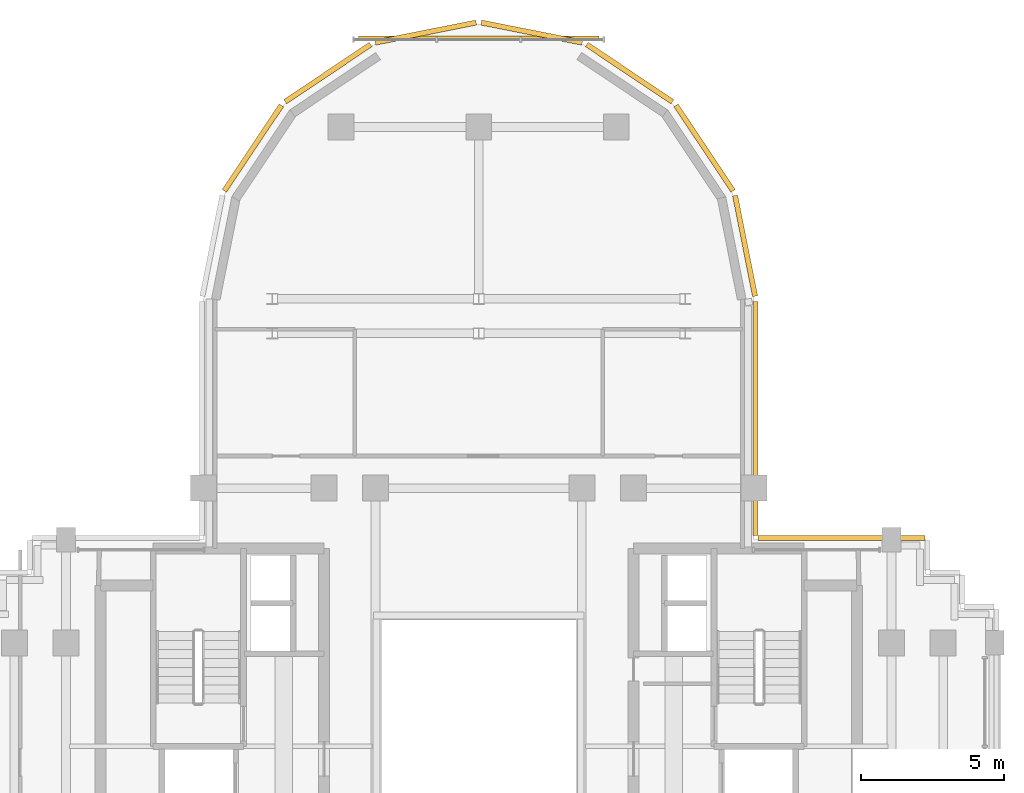
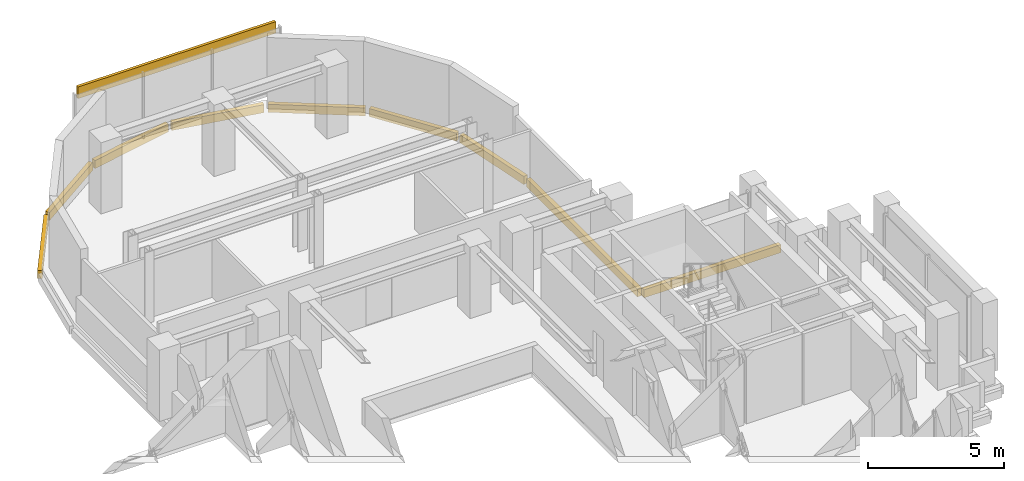
# One storey, part 11 of 11: 10 coverings.
"""IFC4 building model written with IfcOpenShell, lengths in metres."""

from ifc_helpers import new_model, si_unit, direction, frame, origin, origin_2d, place, context, subcontext, project, spatial, rectangle, extrude, source, transform, mapped, material, layer, layer_set, type_object, element, save


model = new_model("IFC4")

# Units and contexts
model_context = context("Model", 3, precision=1e-05, world=origin(), true_north=direction((0.0, 1.0)))
body_context = subcontext(model_context, "Body", "Model", "MODEL_VIEW")
ifc_project = project(units=[si_unit("LENGTHUNIT", "METRE"), si_unit("AREAUNIT", "SQUARE_METRE"), si_unit("VOLUMEUNIT", "CUBIC_METRE"), si_unit("PLANEANGLEUNIT", "RADIAN"), si_unit("MASSUNIT", "GRAM", prefix="KILO")], contexts=[model_context])

# Site, building, storey
site_placement = place(None, origin())
site = spatial("IfcSite", under=ifc_project, at=site_placement, CompositionType="ELEMENT")
building_placement = place(site_placement, origin())
building = spatial("IfcBuilding", under=site, at=building_placement, Name="Keilestroom Media Tower", CompositionType="ELEMENT")
storey_placement = place(building_placement, frame((0.0, 0.0, 174.0)))
storey = spatial("IfcBuildingStorey", under=building, at=storey_placement, Name="L47", CompositionType="ELEMENT", Elevation=174.0)

# Coverings
ifc_material = material(Name="Precast concrete C40/50", Category="concrete")
ifc_layer = layer(ifc_material, 0.1201171875)
ifc_layer_set = layer_set([ifc_layer], Name="Precast concrete C40/50")
covering_type = type_object("IfcCoveringType", Name="Exterior-Precast-Spandrel-Cladding-Panel-120", PredefinedType="CLADDING", material=ifc_layer_set)
shared_shape_1 = source(origin(), body_context, "Body", "SweptSolid", [
    extrude(rectangle(XDim=8.39990234375, YDim=0.1201171875, at=origin_2d()), origin(), (0.0, 0.0, 1.0), 0.52001953125),
])
covering_1_placement = place(storey_placement, frame((0.0, 24.719970703125, 2.68994140625), z_axis=(0.0, 0.0, 1.0), x_axis=(1.0, 0.0, 0.0)))
element("IfcCovering", 1, at=covering_1_placement, inside=storey, type_object=covering_type, Name="L47 Precast Spandrel Cladding N", PredefinedType="CLADDING", context=body_context, shape_type="MappedRepresentation", body=[
    mapped(shared_shape_1, transform((0.0, 0.0, 0.0), x_axis=(1.0, 0.0, 0.0), y_axis=(0.0, 1.0, 0.0), z_axis=(0.0, 0.0, 1.0), scale=1.0)),
])
shared_shape_2 = source(origin(), body_context, "Body", "SweptSolid", [
    extrude(rectangle(XDim=8.166015625, YDim=0.179931640625, at=origin_2d()), origin(), (0.0, 0.0, 1.0), 0.360107421875),
])
covering_2_placement = place(storey_placement, frame((9.659912109375, 11.43310546875, -0.5400390625), z_axis=(0.0, 0.0, 1.0), x_axis=(0.0, -1.0, 0.0)))
element("IfcCovering", 2, at=covering_2_placement, inside=storey, type_object=covering_type, Name="L47 Precast Slab-Edge Fascia Cornice 36", PredefinedType="CLADDING", context=body_context, shape_type="MappedRepresentation", body=[
    mapped(shared_shape_2, transform((0.0, 0.0, 0.0), x_axis=(1.0, 0.0, 0.0), y_axis=(0.0, 1.0, 0.0), z_axis=(0.0, 0.0, 1.0), scale=1.0)),
])
shared_shape_3 = source(origin(), body_context, "Body", "SweptSolid", [
    extrude(rectangle(XDim=3.58349609375, YDim=0.179931640625, at=origin_2d()), origin(), (0.0, 0.0, 1.0), 0.360107421875),
])
covering_3_placement = place(storey_placement, frame((9.29296875, 17.45166015625, -0.5400390625), z_axis=(0.0, 0.0, 1.0), x_axis=(0.195098880975, -0.980783577882, 0.0)))
element("IfcCovering", 3, at=covering_3_placement, inside=storey, type_object=covering_type, Name="L47 Precast Slab-Edge Fascia Cornice 35", PredefinedType="CLADDING", context=body_context, shape_type="MappedRepresentation", body=[
    mapped(shared_shape_3, transform((0.0, 0.0, 0.0), x_axis=(1.0, 0.0, 0.0), y_axis=(0.0, 1.0, 0.0), z_axis=(0.0, 0.0, 1.0), scale=1.0)),
])
shared_shape_4 = source(origin(), body_context, "Body", "SweptSolid", [
    extrude(rectangle(XDim=3.589599609375, YDim=0.179931640625, at=origin_2d()), origin(), (0.0, 0.0, 1.0), 0.360107421875),
])
for number, where, z_axis, x_axis, name in (
    (4, (-7.878662109375, 20.8642578125, -0.5400390625), (0.0, 0.0, 1.0), (0.555574586577, 0.831466703332, 0.0), "L47 Precast Slab-Edge Fascia Cornice 29"),
    (5, (-5.264404296875, 23.478515625, -0.5400390625), (0.0, 0.0, 1.0), (0.831466703332, 0.555574586577, 0.0), "L47 Precast Slab-Edge Fascia Cornice 30"),
    (6, (-1.8486328125, 24.893310546875, -0.5400390625), (0.0, 0.0, 1.0), (0.980783577882, 0.195098880975, 0.0), "L47 Precast Slab-Edge Fascia Cornice 31"),
    (7, (1.8486328125, 24.893310546875, -0.5400390625), (0.0, 0.0, 1.0), (0.980783577882, -0.195098880975, 0.0), "L47 Precast Slab-Edge Fascia Cornice 32"),
    (8, (5.264404296875, 23.478515625, -0.5400390625), (0.0, 0.0, 1.0), (0.831466703332, -0.555574586577, 0.0), "L47 Precast Slab-Edge Fascia Cornice 33"),
    (9, (7.878662109375, 20.8642578125, -0.5400390625), (0.0, 0.0, 1.0), (0.555574586577, -0.831466703332, 0.0), "L47 Precast Slab-Edge Fascia Cornice 34"),
):
    element("IfcCovering", number, at=place(storey_placement, frame(where, z_axis=z_axis, x_axis=x_axis)), inside=storey, type_object=covering_type, Name=name, PredefinedType="CLADDING", context=body_context, shape_type="MappedRepresentation", body=[
        mapped(shared_shape_4, transform((0.0, 0.0, 0.0), x_axis=(1.0, 0.0, 0.0), y_axis=(0.0, 1.0, 0.0), z_axis=(0.0, 0.0, 1.0), scale=1.0)),
    ])
shared_shape_5 = source(origin(), body_context, "Body", "SweptSolid", [
    extrude(rectangle(XDim=5.820068359375, YDim=0.179931640625, at=origin_2d()), origin(), (0.0, 0.0, 1.0), 0.360107421875),
])
covering_4_placement = place(storey_placement, frame((12.659912109375, 7.260009765625, -0.5400390625), z_axis=(0.0, 0.0, 1.0), x_axis=(1.0, 0.0, 0.0)))
element("IfcCovering", 10, at=covering_4_placement, inside=storey, type_object=covering_type, Name="L47 Precast Slab-Edge Fascia Cornice 37", PredefinedType="CLADDING", context=body_context, shape_type="MappedRepresentation", body=[
    mapped(shared_shape_5, transform((0.0, 0.0, 0.0), x_axis=(1.0, 0.0, 0.0), y_axis=(0.0, 1.0, 0.0), z_axis=(0.0, 0.0, 1.0), scale=1.0)),
])

save(model, "model.ifc")
